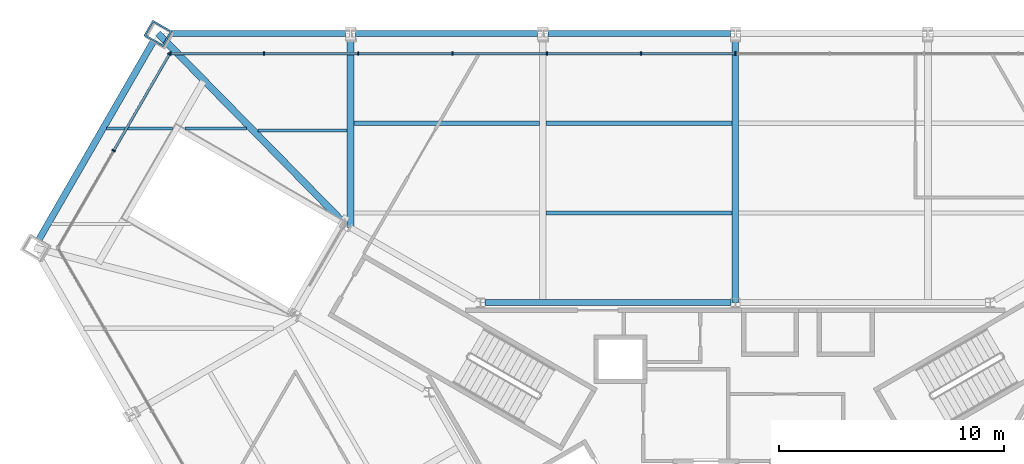
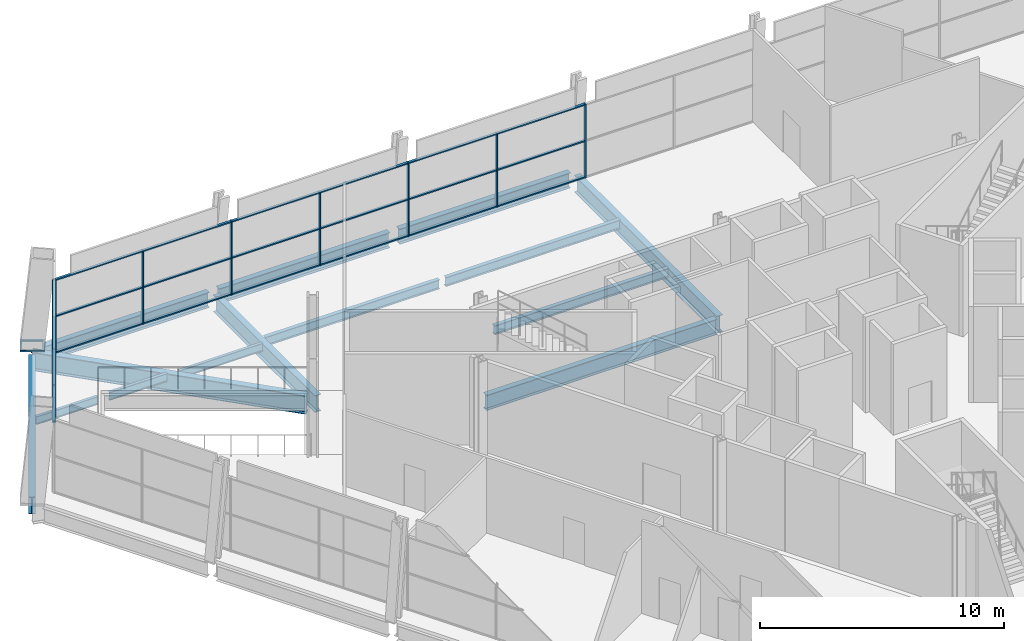
# One storey, part 7 of 18: 31 members, 14 beams, 2 elements without a shape of their own.
"""IFC4 building model written with IfcOpenShell, lengths in metres."""

from ifc_helpers import new_model, si_unit, direction, frame, origin, origin_2d, place, context, subcontext, project, spatial, rectangle, hollow_rectangle, i_section, extrude, material, layer, layer_set, material_profile, profile_set, type_object, element, aggregate, save


model = new_model("IFC4")

# Units and contexts
model_context = context("Model", 3, precision=1e-05, world=origin(), true_north=direction((0.0, 1.0)))
body_context = subcontext(model_context, "Body", "Model", "MODEL_VIEW")
ifc_project = project(units=[si_unit("LENGTHUNIT", "METRE"), si_unit("AREAUNIT", "SQUARE_METRE"), si_unit("VOLUMEUNIT", "CUBIC_METRE"), si_unit("PLANEANGLEUNIT", "RADIAN"), si_unit("MASSUNIT", "GRAM", prefix="KILO")], contexts=[model_context])

# Site, building, storey
site_placement = place(None, origin())
site = spatial("IfcSite", under=ifc_project, at=site_placement, CompositionType="ELEMENT")
building_placement = place(site_placement, origin())
building = spatial("IfcBuilding", under=site, at=building_placement, Name="Verrane Prism Tower", CompositionType="ELEMENT")
storey_placement = place(building_placement, frame((0.0, 0.0, 32.0)))
storey = spatial("IfcBuildingStorey", under=building, at=storey_placement, Name="L05", CompositionType="ELEMENT", Elevation=32.0)

# Curtain wall, members
ifc_material_1 = material(Name="Aluminium and glass curtain wall", Category="aluminium")
ifc_layer = layer(ifc_material_1, 0.199951171875)
ifc_layer_set = layer_set([ifc_layer], Name="CWB-1 retail curtain wall")
curtain_wall_type = type_object("IfcCurtainWallType", Name="CWB-1 retail curtain wall", PredefinedType="NOTDEFINED", material=ifc_layer_set)
curtain_wall_1_placement = place(storey_placement, origin())
curtain_wall_1 = element("IfcCurtainWall", 1, at=curtain_wall_1_placement, inside=storey, type_object=curtain_wall_type, Name="Retail curtain wall L05 2", PredefinedType="NOTDEFINED")
ifc_material_2 = material(Name="Aluminium", Category="aluminium")
ifc_material_profile_1 = material_profile(ifc_material_2, rectangle(XDim=0.159912109375, YDim=0.06005859375, at=origin_2d()), Name="CWB-M 60x160 mullion")
ifc_profile_set_1 = profile_set([ifc_material_profile_1], Name="Aluminium")
member_type_1 = type_object("IfcMemberType", Name="CWB-M 60x160 mullion", PredefinedType="MULLION", material=ifc_profile_set_1)
member_1_placement = place(storey_placement, frame((0.0, 20.27001953125, 0.0), z_axis=(0.0, 0.0, 1.0), x_axis=(0.0, -1.0, 0.0)))
member_1 = element("IfcMember", 2, at=member_1_placement, type_object=member_type_1, Name="CWB52 mullion 7", PredefinedType="MULLION", context=body_context, shape_type="SweptSolid", body=[
    extrude(rectangle(XDim=0.159912109375, YDim=0.06005859375, at=origin_2d()), origin(), (0.0, 0.0, 1.0), 3.68994140625),
])
member_2_placement = place(storey_placement, frame((-4.19140625, 20.27001953125, 0.0), z_axis=(0.0, 0.0, 1.0), x_axis=(0.0, -1.0, 0.0)))
member_2 = element("IfcMember", 3, at=member_2_placement, type_object=member_type_1, Name="CWB52 mullion 8", PredefinedType="MULLION", context=body_context, shape_type="SweptSolid", body=[
    extrude(rectangle(XDim=0.159912109375, YDim=0.06005859375, at=origin_2d()), origin(), (0.0, 0.0, 1.0), 3.68994140625),
])
member_3_placement = place(storey_placement, frame((-8.382568359375, 20.27001953125, 0.0), z_axis=(0.0, 0.0, 1.0), x_axis=(0.0, -1.0, 0.0)))
member_3 = element("IfcMember", 4, at=member_3_placement, type_object=member_type_1, Name="CWB52 mullion 9", PredefinedType="MULLION", context=body_context, shape_type="SweptSolid", body=[
    extrude(rectangle(XDim=0.159912109375, YDim=0.06005859375, at=origin_2d()), origin(), (0.0, 0.0, 1.0), 3.68994140625),
])
member_4_placement = place(storey_placement, frame((-12.573974609375, 20.27001953125, 0.0), z_axis=(0.0, 0.0, 1.0), x_axis=(0.0, -1.0, 0.0)))
member_4 = element("IfcMember", 5, at=member_4_placement, type_object=member_type_1, Name="CWB52 mullion 10", PredefinedType="MULLION", context=body_context, shape_type="SweptSolid", body=[
    extrude(rectangle(XDim=0.159912109375, YDim=0.06005859375, at=origin_2d()), origin(), (0.0, 0.0, 1.0), 3.68994140625),
])
member_5_placement = place(storey_placement, frame((-16.76513671875, 20.27001953125, 0.0), z_axis=(0.0, 0.0, 1.0), x_axis=(0.0, -1.0, 0.0)))
member_5 = element("IfcMember", 6, at=member_5_placement, type_object=member_type_1, Name="CWB52 mullion 11", PredefinedType="MULLION", context=body_context, shape_type="SweptSolid", body=[
    extrude(rectangle(XDim=0.159912109375, YDim=0.06005859375, at=origin_2d()), origin(), (0.0, 0.0, 1.0), 3.68994140625),
])
member_6_placement = place(storey_placement, frame((-20.95654296875, 20.27001953125, 0.0), z_axis=(0.0, 0.0, 1.0), x_axis=(0.0, -1.0, 0.0)))
member_6 = element("IfcMember", 7, at=member_6_placement, type_object=member_type_1, Name="CWB52 mullion 12", PredefinedType="MULLION", context=body_context, shape_type="SweptSolid", body=[
    extrude(rectangle(XDim=0.159912109375, YDim=0.06005859375, at=origin_2d()), origin(), (0.0, 0.0, 1.0), 3.68994140625),
])
member_7_placement = place(storey_placement, frame((-25.117919921875, 20.27001953125, 0.0), z_axis=(0.0, 0.0, 1.0), x_axis=(0.0, -1.0, 0.0)))
member_7 = element("IfcMember", 8, at=member_7_placement, type_object=member_type_1, Name="CWB52 mullion 13", PredefinedType="MULLION", context=body_context, shape_type="SweptSolid", body=[
    extrude(rectangle(XDim=0.159912109375, YDim=0.06005859375, at=origin_2d()), origin(), (0.0, 0.0, 1.0), 3.68994140625),
])

curtain_wall_2_placement = place(storey_placement, origin())
curtain_wall_2 = element("IfcCurtainWall", 9, at=curtain_wall_2_placement, inside=storey, type_object=curtain_wall_type, Name="Retail curtain wall L05 3", PredefinedType="NOTDEFINED")
member_8_placement = place(storey_placement, frame((-25.162841796875, 20.244140625, 0.0), z_axis=(0.0, 0.0, 1.0), x_axis=(0.866025871, -0.499999190758, 0.0)))
member_8 = element("IfcMember", 10, at=member_8_placement, type_object=member_type_1, Name="CWB53 mullion 1", PredefinedType="MULLION", context=body_context, shape_type="SweptSolid", body=[
    extrude(rectangle(XDim=0.159912109375, YDim=0.06005859375, at=origin_2d()), origin(), (0.0, 0.0, 1.0), 3.68994140625),
])
member_9_placement = place(storey_placement, frame((-27.63818359375, 15.956787109375, 0.0), z_axis=(0.0, 0.0, 1.0), x_axis=(0.866025871, -0.499999190758, 0.0)))
member_9 = element("IfcMember", 11, at=member_9_placement, type_object=member_type_1, Name="CWB53 mullion 2", PredefinedType="MULLION", context=body_context, shape_type="SweptSolid", body=[
    extrude(rectangle(XDim=0.159912109375, YDim=0.06005859375, at=origin_2d()), origin(), (0.0, 0.0, 1.0), 3.68994140625),
])

# Member
ifc_material_3 = material(Name="Aluminium", Category="aluminium")
ifc_material_profile_2 = material_profile(ifc_material_3, rectangle(XDim=0.1201171875, YDim=0.06005859375, at=origin_2d()), Name="CWB-T 60x120 transom")
ifc_profile_set_2 = profile_set([ifc_material_profile_2], Name="Aluminium")
member_type_2 = type_object("IfcMemberType", Name="CWB-T 60x120 transom", PredefinedType="USERDEFINED", material=ifc_profile_set_2)
member_10_placement = place(storey_placement, frame((-0.030029296875, 20.27001953125, 0.030029296875), z_axis=(-1.0, 0.0, 0.0), x_axis=(0.0, -1.0, 0.0)))
member_10 = element("IfcMember", 12, at=member_10_placement, type_object=member_type_2, Name="CWB52 transom 7.1", ObjectType="TRANSOM", PredefinedType="USERDEFINED", context=body_context, shape_type="SweptSolid", body=[
    extrude(rectangle(XDim=0.1201171875, YDim=0.06005859375, at=origin_2d()), origin(), (0.0, 0.0, 1.0), 4.13134765625),
])

member_11_placement = place(storey_placement, frame((-0.030029296875, 20.27001953125, 1.844970703125), z_axis=(-1.0, 0.0, 0.0), x_axis=(0.0, -1.0, 0.0)))
member_11 = element("IfcMember", 13, at=member_11_placement, type_object=member_type_2, Name="CWB52 transom 7.2", ObjectType="TRANSOM", PredefinedType="USERDEFINED", context=body_context, shape_type="SweptSolid", body=[
    extrude(rectangle(XDim=0.1201171875, YDim=0.06005859375, at=origin_2d()), origin(), (0.0, 0.0, 1.0), 4.13134765625),
])

member_12_placement = place(storey_placement, frame((-0.030029296875, 20.27001953125, 3.659912109375), z_axis=(-1.0, 0.0, 0.0), x_axis=(0.0, -1.0, 0.0)))
member_12 = element("IfcMember", 14, at=member_12_placement, type_object=member_type_2, Name="CWB52 transom 7.3", ObjectType="TRANSOM", PredefinedType="USERDEFINED", context=body_context, shape_type="SweptSolid", body=[
    extrude(rectangle(XDim=0.1201171875, YDim=0.06005859375, at=origin_2d()), origin(), (0.0, 0.0, 1.0), 4.13134765625),
])

member_13_placement = place(storey_placement, frame((-4.221435546875, 20.27001953125, 0.030029296875), z_axis=(-1.0, 0.0, 0.0), x_axis=(0.0, -1.0, 0.0)))
member_13 = element("IfcMember", 15, at=member_13_placement, type_object=member_type_2, Name="CWB52 transom 8.1", ObjectType="TRANSOM", PredefinedType="USERDEFINED", context=body_context, shape_type="SweptSolid", body=[
    extrude(rectangle(XDim=0.1201171875, YDim=0.06005859375, at=origin_2d()), origin(), (0.0, 0.0, 1.0), 4.131103515625),
])

member_14_placement = place(storey_placement, frame((-4.221435546875, 20.27001953125, 1.844970703125), z_axis=(-1.0, 0.0, 0.0), x_axis=(0.0, -1.0, 0.0)))
member_14 = element("IfcMember", 16, at=member_14_placement, type_object=member_type_2, Name="CWB52 transom 8.2", ObjectType="TRANSOM", PredefinedType="USERDEFINED", context=body_context, shape_type="SweptSolid", body=[
    extrude(rectangle(XDim=0.1201171875, YDim=0.06005859375, at=origin_2d()), origin(), (0.0, 0.0, 1.0), 4.131103515625),
])

member_15_placement = place(storey_placement, frame((-4.221435546875, 20.27001953125, 3.659912109375), z_axis=(-1.0, 0.0, 0.0), x_axis=(0.0, -1.0, 0.0)))
member_15 = element("IfcMember", 17, at=member_15_placement, type_object=member_type_2, Name="CWB52 transom 8.3", ObjectType="TRANSOM", PredefinedType="USERDEFINED", context=body_context, shape_type="SweptSolid", body=[
    extrude(rectangle(XDim=0.1201171875, YDim=0.06005859375, at=origin_2d()), origin(), (0.0, 0.0, 1.0), 4.131103515625),
])

member_16_placement = place(storey_placement, frame((-8.41259765625, 20.27001953125, 0.030029296875), z_axis=(-1.0, 0.0, 0.0), x_axis=(0.0, -1.0, 0.0)))
member_16 = element("IfcMember", 18, at=member_16_placement, type_object=member_type_2, Name="CWB52 transom 9.1", ObjectType="TRANSOM", PredefinedType="USERDEFINED", context=body_context, shape_type="SweptSolid", body=[
    extrude(rectangle(XDim=0.1201171875, YDim=0.06005859375, at=origin_2d()), origin(), (0.0, 0.0, 1.0), 4.13134765625),
])

member_17_placement = place(storey_placement, frame((-8.41259765625, 20.27001953125, 1.844970703125), z_axis=(-1.0, 0.0, 0.0), x_axis=(0.0, -1.0, 0.0)))
member_17 = element("IfcMember", 19, at=member_17_placement, type_object=member_type_2, Name="CWB52 transom 9.2", ObjectType="TRANSOM", PredefinedType="USERDEFINED", context=body_context, shape_type="SweptSolid", body=[
    extrude(rectangle(XDim=0.1201171875, YDim=0.06005859375, at=origin_2d()), origin(), (0.0, 0.0, 1.0), 4.13134765625),
])

member_18_placement = place(storey_placement, frame((-8.41259765625, 20.27001953125, 3.659912109375), z_axis=(-1.0, 0.0, 0.0), x_axis=(0.0, -1.0, 0.0)))
member_18 = element("IfcMember", 20, at=member_18_placement, type_object=member_type_2, Name="CWB52 transom 9.3", ObjectType="TRANSOM", PredefinedType="USERDEFINED", context=body_context, shape_type="SweptSolid", body=[
    extrude(rectangle(XDim=0.1201171875, YDim=0.06005859375, at=origin_2d()), origin(), (0.0, 0.0, 1.0), 4.13134765625),
])

member_19_placement = place(storey_placement, frame((-12.60400390625, 20.27001953125, 0.030029296875), z_axis=(-1.0, 0.0, 0.0), x_axis=(0.0, -1.0, 0.0)))
member_19 = element("IfcMember", 21, at=member_19_placement, type_object=member_type_2, Name="CWB52 transom 10.1", ObjectType="TRANSOM", PredefinedType="USERDEFINED", context=body_context, shape_type="SweptSolid", body=[
    extrude(rectangle(XDim=0.1201171875, YDim=0.06005859375, at=origin_2d()), origin(), (0.0, 0.0, 1.0), 4.13134765625),
])

member_20_placement = place(storey_placement, frame((-12.60400390625, 20.27001953125, 1.844970703125), z_axis=(-1.0, 0.0, 0.0), x_axis=(0.0, -1.0, 0.0)))
member_20 = element("IfcMember", 22, at=member_20_placement, type_object=member_type_2, Name="CWB52 transom 10.2", ObjectType="TRANSOM", PredefinedType="USERDEFINED", context=body_context, shape_type="SweptSolid", body=[
    extrude(rectangle(XDim=0.1201171875, YDim=0.06005859375, at=origin_2d()), origin(), (0.0, 0.0, 1.0), 4.13134765625),
])

member_21_placement = place(storey_placement, frame((-12.60400390625, 20.27001953125, 3.659912109375), z_axis=(-1.0, 0.0, 0.0), x_axis=(0.0, -1.0, 0.0)))
member_21 = element("IfcMember", 23, at=member_21_placement, type_object=member_type_2, Name="CWB52 transom 10.3", ObjectType="TRANSOM", PredefinedType="USERDEFINED", context=body_context, shape_type="SweptSolid", body=[
    extrude(rectangle(XDim=0.1201171875, YDim=0.06005859375, at=origin_2d()), origin(), (0.0, 0.0, 1.0), 4.13134765625),
])

member_22_placement = place(storey_placement, frame((-16.795166015625, 20.27001953125, 0.030029296875), z_axis=(-1.0, 0.0, 0.0), x_axis=(0.0, -1.0, 0.0)))
member_22 = element("IfcMember", 24, at=member_22_placement, type_object=member_type_2, Name="CWB52 transom 11.1", ObjectType="TRANSOM", PredefinedType="USERDEFINED", context=body_context, shape_type="SweptSolid", body=[
    extrude(rectangle(XDim=0.1201171875, YDim=0.06005859375, at=origin_2d()), origin(), (0.0, 0.0, 1.0), 4.13134765625),
])

member_23_placement = place(storey_placement, frame((-16.795166015625, 20.27001953125, 1.844970703125), z_axis=(-1.0, 0.0, 0.0), x_axis=(0.0, -1.0, 0.0)))
member_23 = element("IfcMember", 25, at=member_23_placement, type_object=member_type_2, Name="CWB52 transom 11.2", ObjectType="TRANSOM", PredefinedType="USERDEFINED", context=body_context, shape_type="SweptSolid", body=[
    extrude(rectangle(XDim=0.1201171875, YDim=0.06005859375, at=origin_2d()), origin(), (0.0, 0.0, 1.0), 4.13134765625),
])

member_24_placement = place(storey_placement, frame((-16.795166015625, 20.27001953125, 3.659912109375), z_axis=(-1.0, 0.0, 0.0), x_axis=(0.0, -1.0, 0.0)))
member_24 = element("IfcMember", 26, at=member_24_placement, type_object=member_type_2, Name="CWB52 transom 11.3", ObjectType="TRANSOM", PredefinedType="USERDEFINED", context=body_context, shape_type="SweptSolid", body=[
    extrude(rectangle(XDim=0.1201171875, YDim=0.06005859375, at=origin_2d()), origin(), (0.0, 0.0, 1.0), 4.13134765625),
])

member_25_placement = place(storey_placement, frame((-20.986572265625, 20.27001953125, 0.030029296875), z_axis=(-1.0, 0.0, 0.0), x_axis=(0.0, -1.0, 0.0)))
member_25 = element("IfcMember", 27, at=member_25_placement, type_object=member_type_2, Name="CWB52 transom 12.1", ObjectType="TRANSOM", PredefinedType="USERDEFINED", context=body_context, shape_type="SweptSolid", body=[
    extrude(rectangle(XDim=0.1201171875, YDim=0.06005859375, at=origin_2d()), origin(), (0.0, 0.0, 1.0), 4.101318359375),
])

member_26_placement = place(storey_placement, frame((-20.986572265625, 20.27001953125, 1.844970703125), z_axis=(-1.0, 0.0, 0.0), x_axis=(0.0, -1.0, 0.0)))
member_26 = element("IfcMember", 28, at=member_26_placement, type_object=member_type_2, Name="CWB52 transom 12.2", ObjectType="TRANSOM", PredefinedType="USERDEFINED", context=body_context, shape_type="SweptSolid", body=[
    extrude(rectangle(XDim=0.1201171875, YDim=0.06005859375, at=origin_2d()), origin(), (0.0, 0.0, 1.0), 4.101318359375),
])

member_27_placement = place(storey_placement, frame((-20.986572265625, 20.27001953125, 3.659912109375), z_axis=(-1.0, 0.0, 0.0), x_axis=(0.0, -1.0, 0.0)))
member_27 = element("IfcMember", 29, at=member_27_placement, type_object=member_type_2, Name="CWB52 transom 12.3", ObjectType="TRANSOM", PredefinedType="USERDEFINED", context=body_context, shape_type="SweptSolid", body=[
    extrude(rectangle(XDim=0.1201171875, YDim=0.06005859375, at=origin_2d()), origin(), (0.0, 0.0, 1.0), 4.101318359375),
])

aggregate(curtain_wall_1, [member_1, member_2, member_3, member_4, member_5, member_6, member_7, member_10, member_11, member_12, member_13, member_14, member_15, member_16, member_17, member_18, member_19, member_20, member_21, member_22, member_23, member_24, member_25, member_26, member_27])

member_28_placement = place(storey_placement, frame((-25.177978515625, 20.218017578125, 0.030029296875), z_axis=(-0.499988949793, -0.86603178353, 0.0), x_axis=(0.86603178353, -0.499988949793, 0.0)))
member_28 = element("IfcMember", 30, at=member_28_placement, type_object=member_type_2, Name="CWB53 transom 1.1", ObjectType="TRANSOM", PredefinedType="USERDEFINED", context=body_context, shape_type="SweptSolid", body=[
    extrude(rectangle(XDim=0.1201171875, YDim=0.06005859375, at=origin_2d()), origin(), (0.0, 0.0, 1.0), 4.89013671875),
])

member_29_placement = place(storey_placement, frame((-25.177978515625, 20.218017578125, 1.844970703125), z_axis=(-0.499988949793, -0.86603178353, 0.0), x_axis=(0.86603178353, -0.499988949793, 0.0)))
member_29 = element("IfcMember", 31, at=member_29_placement, type_object=member_type_2, Name="CWB53 transom 1.2", ObjectType="TRANSOM", PredefinedType="USERDEFINED", context=body_context, shape_type="SweptSolid", body=[
    extrude(rectangle(XDim=0.1201171875, YDim=0.06005859375, at=origin_2d()), origin(), (0.0, 0.0, 1.0), 4.89013671875),
])

member_30_placement = place(storey_placement, frame((-25.177978515625, 20.218017578125, 3.659912109375), z_axis=(-0.499988949793, -0.86603178353, 0.0), x_axis=(0.86603178353, -0.499988949793, 0.0)))
member_30 = element("IfcMember", 32, at=member_30_placement, type_object=member_type_2, Name="CWB53 transom 1.3", ObjectType="TRANSOM", PredefinedType="USERDEFINED", context=body_context, shape_type="SweptSolid", body=[
    extrude(rectangle(XDim=0.1201171875, YDim=0.06005859375, at=origin_2d()), origin(), (0.0, 0.0, 1.0), 4.89013671875),
])

aggregate(curtain_wall_2, [member_8, member_9, member_28, member_29, member_30])

# Beams
ifc_material_4 = material(Name="Steel A992", Category="steel")
ifc_material_profile_3 = material_profile(ifc_material_4, i_section(OverallWidth=0.2919921875, OverallDepth=0.845703125, WebThickness=0.015380859375, FlangeThickness=0.0244140625, FilletRadius=0.017822265625, at=origin_2d()), Name="W33x141")
ifc_profile_set_3 = profile_set([ifc_material_profile_3], Name="Steel A992")
beam_type_1 = type_object("IfcBeamType", Name="Chamfer spandrel beam W33x141", PredefinedType="SPANDREL", material=ifc_profile_set_3)
beam_1_placement = place(storey_placement, frame((-25.869873046875, 20.823486328125, -0.5830078125), z_axis=(-0.49986813558, -0.866101522359, 0.0), x_axis=(0.866101522359, -0.49986813558, 0.0)))
element("IfcBeam", 33, at=beam_1_placement, inside=storey, type_object=beam_type_1, Name="Chamfer spandrel beam L05", PredefinedType="SPANDREL", context=body_context, shape_type="SweptSolid", body=[
    extrude(i_section(OverallWidth=0.2919921875, OverallDepth=0.845703125, WebThickness=0.015380859375, FlangeThickness=0.0244140625, FilletRadius=0.017822265625, at=origin_2d()), origin(), (0.0, 0.0, 1.0), 10.203369140625),
])
ifc_material_5 = material(Name="Steel A992", Category="steel")
ifc_material_profile_4 = material_profile(ifc_material_5, i_section(OverallWidth=0.2666015625, OverallDepth=0.76708984375, WebThickness=0.014892578125, FlangeThickness=0.023681640625, FilletRadius=0.0166015625, at=origin_2d()), Name="W30x124")
ifc_profile_set_4 = profile_set([ifc_material_profile_4], Name="Steel A992")
beam_type_2 = type_object("IfcBeamType", Name="Core ring girder W30x124", PredefinedType="BEAM", material=ifc_profile_set_4)
beam_2_placement = place(storey_placement, frame((-0.205810546875, 9.199951171875, -0.633544921875), z_axis=(-1.0, 0.0, 0.0), x_axis=(0.0, -1.0, 0.0)))
element("IfcBeam", 34, at=beam_2_placement, inside=storey, type_object=beam_type_2, Name="Core ring girder L05", PredefinedType="BEAM", context=body_context, shape_type="SweptSolid", body=[
    extrude(i_section(OverallWidth=0.2666015625, OverallDepth=0.76708984375, WebThickness=0.014892578125, FlangeThickness=0.023681640625, FilletRadius=0.0166015625, at=origin_2d()), origin(), (0.0, 0.0, 1.0), 10.91845703125),
])
ifc_material_6 = material(Name="Steel A992", Category="steel")
ifc_material_profile_5 = material_profile(ifc_material_6, i_section(OverallWidth=0.307373046875, OverallDepth=0.927001953125, WebThickness=0.01953125, FlangeThickness=0.031982421875, FilletRadius=0.01904296875, at=origin_2d()), Name="W36x194")
ifc_profile_set_5 = profile_set([ifc_material_profile_5], Name="Steel A992")
beam_type_3 = type_object("IfcBeamType", Name="Corner girder W36x194", PredefinedType="BEAM", material=ifc_profile_set_5)
beam_3_placement = place(storey_placement, frame((-25.66845703125, 21.16845703125, -0.68359375), z_axis=(0.700377975453, -0.713772156574, 0.0), x_axis=(0.713772156574, 0.700377975453, 0.0)))
element("IfcBeam", 35, at=beam_3_placement, inside=storey, type_object=beam_type_3, Name="Corner girder L05", PredefinedType="BEAM", context=body_context, shape_type="SweptSolid", body=[
    extrude(i_section(OverallWidth=0.307373046875, OverallDepth=0.927001953125, WebThickness=0.01953125, FlangeThickness=0.031982421875, FilletRadius=0.01904296875, at=origin_2d()), origin(), (0.0, 0.0, 1.0), 11.701904296875),
])
ifc_material_7 = material(Name="Steel A992", Category="steel")
ifc_material_profile_6 = material_profile(ifc_material_7, i_section(OverallWidth=0.140380859375, OverallDepth=0.40380859375, WebThickness=0.007080078125, FlangeThickness=0.01123046875, FilletRadius=0.01025390625, at=origin_2d()), Name="W16x31")
ifc_profile_set_6 = profile_set([ifc_material_profile_6], Name="Steel A992")
beam_type_4 = type_object("IfcBeamType", Name="Floor beam W16x31", PredefinedType="BEAM", material=ifc_profile_set_6)
beam_4_placement = place(storey_placement, frame((-21.21728515625, 16.85009765625, -0.36181640625), z_axis=(1.0, 0.0, 0.0), x_axis=(0.0, 1.0, 0.0)))
element("IfcBeam", 36, at=beam_4_placement, inside=storey, type_object=beam_type_4, Name="Floor beam L05", PredefinedType="BEAM", context=body_context, shape_type="SweptSolid", body=[
    extrude(i_section(OverallWidth=0.140380859375, OverallDepth=0.40380859375, WebThickness=0.007080078125, FlangeThickness=0.01123046875, FilletRadius=0.01025390625, at=origin_2d()), origin(), (0.0, 0.0, 1.0), 3.961181640625),
])
beam_5_placement = place(storey_placement, frame((-27.945556640625, 16.93505859375, -0.36181640625), z_axis=(1.0, 0.0, 0.0), x_axis=(0.0, 1.0, 0.0)))
element("IfcBeam", 37, at=beam_5_placement, inside=storey, type_object=beam_type_4, Name="Floor beam L05", PredefinedType="BEAM", context=body_context, shape_type="SweptSolid", body=[
    extrude(i_section(OverallWidth=0.140380859375, OverallDepth=0.40380859375, WebThickness=0.007080078125, FlangeThickness=0.01123046875, FilletRadius=0.01025390625, at=origin_2d()), origin(), (0.0, 0.0, 1.0), 2.9150390625),
])
beam_6_placement = place(storey_placement, frame((-24.467529296875, 16.93505859375, -0.36181640625), z_axis=(1.0, 0.0, 0.0), x_axis=(0.0, 1.0, 0.0)))
element("IfcBeam", 38, at=beam_6_placement, inside=storey, type_object=beam_type_4, Name="Floor beam L05", PredefinedType="BEAM", context=body_context, shape_type="SweptSolid", body=[
    extrude(i_section(OverallWidth=0.140380859375, OverallDepth=0.40380859375, WebThickness=0.007080078125, FlangeThickness=0.01123046875, FilletRadius=0.01025390625, at=origin_2d()), origin(), (0.0, 0.0, 1.0), 2.73681640625),
])
ifc_material_8 = material(Name="Steel A992", Category="steel")
ifc_material_profile_7 = material_profile(ifc_material_8, i_section(OverallWidth=0.1904296875, OverallDepth=0.457275390625, WebThickness=0.009033203125, FlangeThickness=0.014404296875, FilletRadius=0.01025390625, at=origin_2d()), Name="W18x50")
ifc_profile_set_7 = profile_set([ifc_material_profile_7], Name="Steel A992")
beam_type_5 = type_object("IfcBeamType", Name="Floor beam W18x50", PredefinedType="BEAM", material=ifc_profile_set_7)
for number, where, z_axis, x_axis, name in (
    (39, (-8.4140625, 13.18994140625, -0.388671875), (1.0, 0.0, 0.0), (0.0, 1.0, 0.0), "Floor beam L05"),
    (40, (-8.4140625, 17.179931640625, -0.388671875), (1.0, 0.0, 0.0), (0.0, 1.0, 0.0), "Floor beam L05"),
):
    element("IfcBeam", number, at=place(storey_placement, frame(where, z_axis=z_axis, x_axis=x_axis)), inside=storey, type_object=beam_type_5, Name=name, PredefinedType="BEAM", context=body_context, shape_type="SweptSolid", body=[
        extrude(i_section(OverallWidth=0.1904296875, OverallDepth=0.457275390625, WebThickness=0.009033203125, FlangeThickness=0.014404296875, FilletRadius=0.01025390625, at=origin_2d()), origin(), (0.0, 0.0, 1.0), 8.26806640625),
    ])
beam_7_placement = place(storey_placement, frame((-16.964111328125, 17.179931640625, -0.388671875), z_axis=(1.0, 0.0, 0.0), x_axis=(0.0, 1.0, 0.0)))
element("IfcBeam", 41, at=beam_7_placement, inside=storey, type_object=beam_type_5, Name="Floor beam L05", PredefinedType="BEAM", context=body_context, shape_type="SweptSolid", body=[
    extrude(i_section(OverallWidth=0.1904296875, OverallDepth=0.457275390625, WebThickness=0.009033203125, FlangeThickness=0.014404296875, FilletRadius=0.01025390625, at=origin_2d()), origin(), (0.0, 0.0, 1.0), 8.258056640625),
])

# Member
ifc_material_9 = material(Name="Steel A572 Grade 50", Category="steel")
ifc_material_profile_8 = material_profile(ifc_material_9, hollow_rectangle(XDim=0.800048828125, YDim=1.0, WallThickness=0.074951171875, at=origin_2d()), Name="BOX 1000x800x75")
ifc_profile_set_8 = profile_set([ifc_material_profile_8], Name="Steel A572 Grade 50")
member_type_3 = type_object("IfcMemberType", Name="Kink node BOX 1000x800x75", PredefinedType="COLLAR", material=ifc_profile_set_8)
member_31_placement = place(storey_placement, frame((-25.668701171875, 21.168212890625, -0.044921875), z_axis=(0.0, 0.0, 1.0), x_axis=(0.5, 0.866025403784, 0.0)))
element("IfcMember", 42, at=member_31_placement, inside=storey, type_object=member_type_3, Name="Kink node MC2 L05", PredefinedType="COLLAR", context=body_context, shape_type="SweptSolid", body=[
    extrude(hollow_rectangle(XDim=0.800048828125, YDim=1.0, WallThickness=0.074951171875, at=origin_2d()), origin(), (0.0, 0.0, 1.0), 0.08984375),
])

# Beams
ifc_material_10 = material(Name="Steel A992", Category="steel")
ifc_material_profile_9 = material_profile(ifc_material_10, i_section(OverallWidth=0.2919921875, OverallDepth=0.845703125, WebThickness=0.015380859375, FlangeThickness=0.0244140625, FilletRadius=0.017822265625, at=origin_2d()), Name="W33x141")
ifc_profile_set_9 = profile_set([ifc_material_profile_9], Name="Steel A992")
beam_type_6 = type_object("IfcBeamType", Name="Radial girder W33x141", PredefinedType="BEAM", material=ifc_profile_set_9)
beam_8_placement = place(storey_placement, frame((0.0, 20.885498046875, -0.642822265625), z_axis=(0.0, -1.0, 0.0), x_axis=(1.0, 0.0, 0.0)))
element("IfcBeam", 43, at=beam_8_placement, inside=storey, type_object=beam_type_6, Name="Radial girder L05", PredefinedType="BEAM", context=body_context, shape_type="SweptSolid", body=[
    extrude(i_section(OverallWidth=0.2919921875, OverallDepth=0.845703125, WebThickness=0.015380859375, FlangeThickness=0.0244140625, FilletRadius=0.017822265625, at=origin_2d()), origin(), (0.0, 0.0, 1.0), 11.685546875),
])
beam_9_placement = place(storey_placement, frame((-17.110107421875, 20.885498046875, -0.642822265625), z_axis=(0.0, -1.0, 0.0), x_axis=(1.0, 0.0, 0.0)))
element("IfcBeam", 44, at=beam_9_placement, inside=storey, type_object=beam_type_6, Name="Radial girder L05", PredefinedType="BEAM", context=body_context, shape_type="SweptSolid", body=[
    extrude(i_section(OverallWidth=0.2919921875, OverallDepth=0.845703125, WebThickness=0.015380859375, FlangeThickness=0.0244140625, FilletRadius=0.017822265625, at=origin_2d()), origin(), (0.0, 0.0, 1.0), 8.35498046875),
])
ifc_material_11 = material(Name="Steel A992", Category="steel")
ifc_material_profile_10 = material_profile(ifc_material_11, i_section(OverallWidth=0.2666015625, OverallDepth=0.76708984375, WebThickness=0.014892578125, FlangeThickness=0.023681640625, FilletRadius=0.0166015625, at=origin_2d()), Name="W30x124")
ifc_profile_set_10 = profile_set([ifc_material_profile_10], Name="Steel A992")
beam_type_7 = type_object("IfcBeamType", Name="Spandrel beam W30x124", PredefinedType="SPANDREL", material=ifc_profile_set_10)
beam_10_placement = place(storey_placement, frame((-0.227294921875, 21.169921875, -0.54345703125), z_axis=(-1.0, 0.0, 0.0), x_axis=(0.0, -1.0, 0.0)))
element("IfcBeam", 45, at=beam_10_placement, inside=storey, type_object=beam_type_7, Name="Spandrel beam L05", PredefinedType="SPANDREL", context=body_context, shape_type="SweptSolid", body=[
    extrude(i_section(OverallWidth=0.2666015625, OverallDepth=0.76708984375, WebThickness=0.014892578125, FlangeThickness=0.023681640625, FilletRadius=0.0166015625, at=origin_2d()), origin(), (0.0, 0.0, 1.0), 8.10546875),
])
beam_11_placement = place(storey_placement, frame((-8.787353515625, 21.169921875, -0.54345703125), z_axis=(-1.0, 0.0, 0.0), x_axis=(0.0, -1.0, 0.0)))
element("IfcBeam", 46, at=beam_11_placement, inside=storey, type_object=beam_type_7, Name="Spandrel beam L05", PredefinedType="SPANDREL", context=body_context, shape_type="SweptSolid", body=[
    extrude(i_section(OverallWidth=0.2666015625, OverallDepth=0.76708984375, WebThickness=0.014892578125, FlangeThickness=0.023681640625, FilletRadius=0.0166015625, at=origin_2d()), origin(), (0.0, 0.0, 1.0), 8.095458984375),
])
beam_12_placement = place(storey_placement, frame((-17.33740234375, 21.169921875, -0.54345703125), z_axis=(-1.0, 0.0, 0.0), x_axis=(0.0, -1.0, 0.0)))
element("IfcBeam", 47, at=beam_12_placement, inside=storey, type_object=beam_type_7, Name="Spandrel beam L05", PredefinedType="SPANDREL", context=body_context, shape_type="SweptSolid", body=[
    extrude(i_section(OverallWidth=0.2666015625, OverallDepth=0.76708984375, WebThickness=0.014892578125, FlangeThickness=0.023681640625, FilletRadius=0.0166015625, at=origin_2d()), origin(), (0.0, 0.0, 1.0), 7.755126953125),
])

save(model, "model.ifc")
